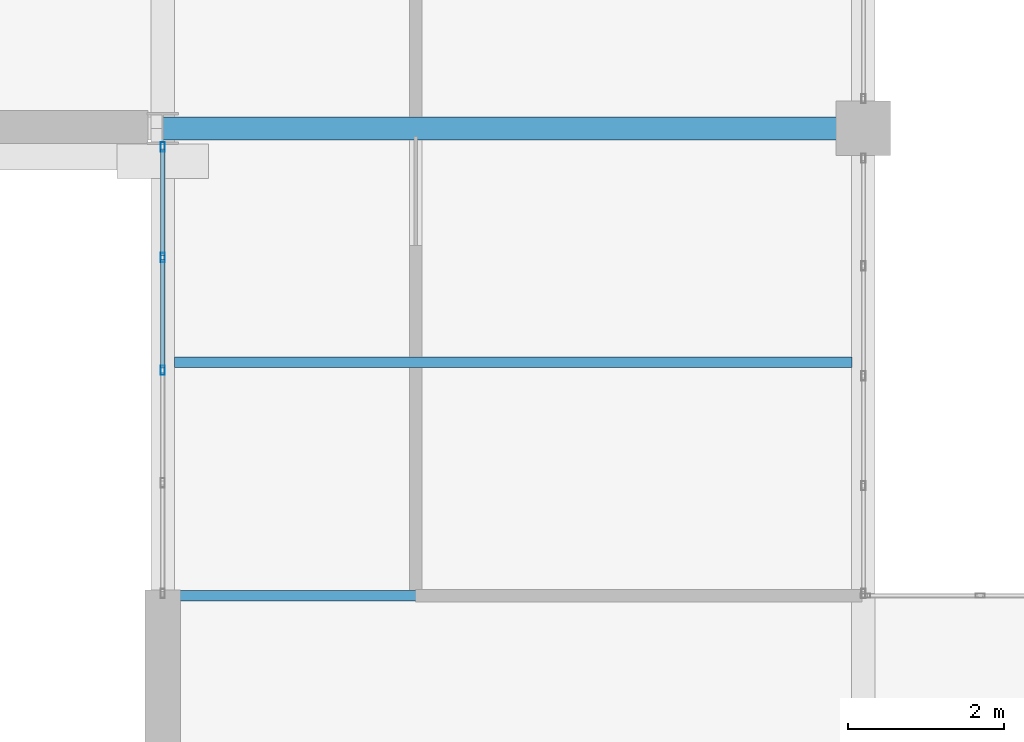
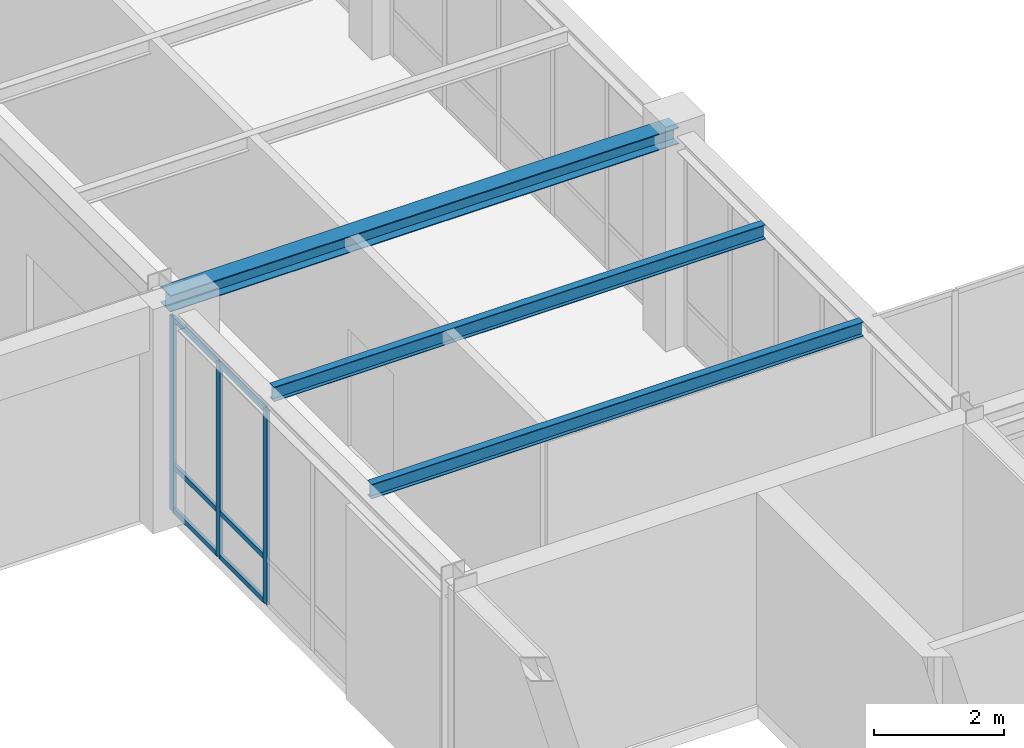
# One storey, part 17 of 130: 9 members, 3 beams, 1 element without a shape of its own.
"""IFC4 building model written with IfcOpenShell, lengths in metres."""

import ifcopenshell
import ifcopenshell.guid

model = None  # the IFC model being written
_history = None  # IfcOwnerHistory: only IFC2X3 demands one
_inside = {}  # id of a spatial element -> (the spatial element, [elements in it])
_under = {}  # id of a project, library or spatial element -> (it, [spatial elements below it])
_declared = {}  # id of a project -> (the project, [libraries it declares])
_typed = {}  # id of a type object -> (the type object, [elements of that type])
_made_of = {}  # id of a material, layer set ... -> (it, [elements and type objects made of it])


def new_model(schema):
    """Start an empty IFC model of exactly this schema.

    Asked for "IFC4X3", IfcOpenShell would pick the latest addendum, in which some entities
    have other attributes; the version numbers below select the first issue.
    IFC2X3 requires an IfcOwnerHistory on every rooted entity: one is made here for all.
    """
    global model, _history
    if schema == "IFC4X3":
        model = ifcopenshell.file(schema_version=(4, 3, 0, 0))
    else:
        model = ifcopenshell.file(schema=schema)
    _inside.clear()
    _under.clear()
    _declared.clear()
    _typed.clear()
    _made_of.clear()
    _history = None
    if model.schema == "IFC2X3":
        org = make("IfcOrganization", Name="unknown")
        user = make(
            "IfcPersonAndOrganization",
            ThePerson=make("IfcPerson", FamilyName="unknown"),
            TheOrganization=org,
        )
        app = make(
            "IfcApplication",
            ApplicationDeveloper=org,
            Version="unknown",
            ApplicationFullName="unknown",
            ApplicationIdentifier="unknown",
        )
        _history = make(
            "IfcOwnerHistory",
            OwningUser=user,
            OwningApplication=app,
            ChangeAction="ADDED",
            CreationDate=0,
        )
    return model


def make(cls, **values):
    """One entity of the class cls with the attributes given. An attribute that is None is left unset."""
    return model.create_entity(
        cls, **{name: value for name, value in values.items() if value is not None}
    )


def rooted(cls, **values):
    """An entity with a GlobalId (a new one), such as an element, a storey or a relation."""
    return make(cls, GlobalId=ifcopenshell.guid.new(), OwnerHistory=_history, **values)


def si_unit(unit_type, name, prefix=None):
    """IfcSIUnit, for example si_unit("LENGTHUNIT", "METRE", prefix="MILLI")."""
    return make("IfcSIUnit", UnitType=unit_type, Prefix=prefix, Name=name)


def assignment(units):
    """IfcUnitAssignment: the units of a project."""
    return None if units is None else make("IfcUnitAssignment", Units=units)


def point(xyz):
    """IfcCartesianPoint."""
    return None if xyz is None else make("IfcCartesianPoint", Coordinates=xyz)


def direction(xyz):
    """IfcDirection."""
    return None if xyz is None else make("IfcDirection", DirectionRatios=xyz)


def frame(location, z_axis=None, x_axis=None):
    """IfcAxis2Placement3D, a coordinate frame: its origin and axes. An axis left out is left unset."""
    return make(
        "IfcAxis2Placement3D",
        Location=point(location),
        Axis=direction(z_axis),
        RefDirection=direction(x_axis),
    )


def frame_2d(location, x_axis=None):
    """IfcAxis2Placement2D, a coordinate frame in the plane: its origin and x axis."""
    return make(
        "IfcAxis2Placement2D", Location=point(location), RefDirection=direction(x_axis)
    )


def origin():
    """The frame at (0, 0, 0) with its axes left unset."""
    return frame((0.0, 0.0, 0.0))


def origin_2d():
    """The frame at (0, 0) in the plane with its x axis left unset."""
    return frame_2d((0.0, 0.0))


def place(relative_to, where):
    """IfcLocalPlacement: puts the frame where relative to a parent placement (None: the world)."""
    return make(
        "IfcLocalPlacement", PlacementRelTo=relative_to, RelativePlacement=where
    )


def context(
    kind, dimensions, precision=None, world=None, true_north=None, identifier=None
):
    """IfcGeometricRepresentationContext, for example the 3D "Model" context."""
    return make(
        "IfcGeometricRepresentationContext",
        ContextIdentifier=identifier,
        ContextType=kind,
        CoordinateSpaceDimension=dimensions,
        Precision=precision,
        WorldCoordinateSystem=world,
        TrueNorth=true_north,
    )


def subcontext(parent, identifier, kind, view, scale=None):
    """IfcGeometricRepresentationSubContext, for example "Body" below "Model"."""
    return make(
        "IfcGeometricRepresentationSubContext",
        ContextIdentifier=identifier,
        ContextType=kind,
        ParentContext=parent,
        TargetScale=scale,
        TargetView=view,
    )


def project(units=None, contexts=None):
    """IfcProject with its units and contexts."""
    return rooted(
        "IfcProject",
        Name="project",
        RepresentationContexts=contexts,
        UnitsInContext=assignment(units),
    )


def spatial(cls, under=None, at=None, **own):
    """A site, building, storey or space (cls), placed at a placement, below another one or the project."""
    s = rooted(cls, ObjectPlacement=at, **own)
    if under is not None:
        _under.setdefault(under.id(), (under, []))[1].append(s)
    return s


def profile(cls, at=None, kind="AREA", **sizes):
    """A parametric profile (cls). Its sizes go by their IFC names, for example OverallWidth=200.0."""
    return make(cls, ProfileType=kind, Position=at, **sizes)


def hollow_rectangle(**sizes):
    """IfcRectangleHollowProfileDef."""
    return profile("IfcRectangleHollowProfileDef", **sizes)


def i_section(**sizes):
    """IfcIShapeProfileDef."""
    return profile("IfcIShapeProfileDef", **sizes)


def extrude(swept, where, along, depth):
    """IfcExtrudedAreaSolid: the profile swept, set in the frame where, extruded along a direction by depth."""
    return make(
        "IfcExtrudedAreaSolid",
        SweptArea=swept,
        Position=where,
        ExtrudedDirection=direction(along),
        Depth=depth,
    )


def shape(context_of_items, identifier, shape_type, items):
    """IfcShapeRepresentation: the items that make up one representation, for example the "Body"."""
    return make(
        "IfcShapeRepresentation",
        ContextOfItems=context_of_items,
        RepresentationIdentifier=identifier,
        RepresentationType=shape_type,
        Items=items,
    )


def material(Name=None, Category=None):
    """IfcMaterial."""
    return make("IfcMaterial", Name=Name, Category=Category)


def material_profile(
    of_material, cross_section, Name=None, Category=None, Priority=None
):
    """IfcMaterialProfile: a cross section and its material."""
    return make(
        "IfcMaterialProfile",
        Name=Name,
        Material=of_material,
        Profile=cross_section,
        Priority=Priority,
        Category=Category,
    )


def profile_set(profiles, Name=None, composite=None):
    """IfcMaterialProfileSet."""
    return make(
        "IfcMaterialProfileSet",
        Name=Name,
        MaterialProfiles=profiles,
        CompositeProfile=composite,
    )


def made_of(thing, what):
    """Note that an element or type object is made of a material, layer set ...; save() writes the relation."""
    if what is not None:
        _made_of.setdefault(what.id(), (what, []))[1].append(thing)
    return thing


def type_object(cls, material=None, **own):
    """A type object (cls), such as IfcWallType, which elements share."""
    return made_of(rooted(cls, **own), material)


def element(
    cls,
    number,
    at=None,
    inside=None,
    cuts=None,
    type_object=None,
    material=None,
    context=None,
    identifier="Body",
    shape_type=None,
    held_by="IfcProductDefinitionShape",
    body=None,
    shapes=None,
    **own,
):
    """One element of the class cls, such as IfcWall. Its Tag is "e" and its number.

    at: its placement. inside: the storey or other place that contains it. cuts: it is an
    opening in that element (IfcRelVoidsElement). A single representation is given by context,
    identifier, shape_type and body (its items); several are given by shapes. held_by: the class
    of the entity that holds the representations. save() writes the other relations.
    """
    e = rooted(cls, Tag="e%d" % number, ObjectPlacement=at, **own)
    if body is not None:
        shapes = [shape(context, identifier, shape_type, body)]
    if shapes is not None:
        e.Representation = make(held_by, Representations=shapes)
    if inside is not None:
        _inside.setdefault(inside.id(), (inside, []))[1].append(e)
    if cuts is not None:
        rooted(
            "IfcRelVoidsElement", RelatingBuildingElement=cuts, RelatedOpeningElement=e
        )
    if type_object is not None:
        _typed.setdefault(type_object.id(), (type_object, []))[1].append(e)
    return made_of(e, material)


def aggregate(whole, parts):
    """IfcRelAggregates: a whole, such as a stair, and the parts it consists of."""
    return rooted("IfcRelAggregates", RelatingObject=whole, RelatedObjects=parts)


def save(model, path):
    """Write the relations noted so far, then the file.

    IfcRelAggregates (storeys below a building ...), IfcRelContainedInSpatialStructure (elements
    in a storey), IfcRelDefinesByType, IfcRelAssociatesMaterial and IfcRelDeclares: one each for
    every whole, place, type object, material and project.
    """
    for whole, parts in _under.values():
        aggregate(whole, parts)
    for where, things in _inside.values():
        rooted(
            "IfcRelContainedInSpatialStructure",
            RelatedElements=things,
            RelatingStructure=where,
        )
    for kind, things in _typed.values():
        rooted("IfcRelDefinesByType", RelatedObjects=things, RelatingType=kind)
    for what, things in _made_of.values():
        rooted("IfcRelAssociatesMaterial", RelatedObjects=things, RelatingMaterial=what)
    for by, libraries in _declared.values():
        rooted("IfcRelDeclares", RelatingContext=by, RelatedDefinitions=libraries)
    model.write(path)


model = new_model("IFC4")

# Units and contexts
model_context = context("Model", 3, precision=1e-05, world=origin(), true_north=direction((0.0, 1.0)))
body_context = subcontext(model_context, "Body", "Model", "MODEL_VIEW")
ifc_project = project(units=[si_unit("LENGTHUNIT", "METRE"), si_unit("AREAUNIT", "SQUARE_METRE"), si_unit("VOLUMEUNIT", "CUBIC_METRE"), si_unit("PLANEANGLEUNIT", "RADIAN"), si_unit("MASSUNIT", "GRAM", prefix="KILO")], contexts=[model_context])

# Site, building, storey
site_placement = place(None, origin())
site = spatial("IfcSite", under=ifc_project, at=site_placement, CompositionType="ELEMENT")
building_placement = place(site_placement, origin())
building = spatial("IfcBuilding", under=site, at=building_placement, Name="Lykobir Media Centre", CompositionType="ELEMENT")
storey_placement = place(building_placement, frame((0.0, 0.0, 19.199951171875)))
storey = spatial("IfcBuildingStorey", under=building, at=storey_placement, Name="L04", CompositionType="ELEMENT", Elevation=19.199951171875)

# Curtain wall, members
ifc_material_1 = material(Name="Anodized Aluminium AW-6060", Category="aluminium")
curtain_wall_type = type_object("IfcCurtainWallType", Name="CW-COURT-B", PredefinedType="NOTDEFINED", material=ifc_material_1)
curtain_wall_placement = place(storey_placement, origin())
curtain_wall = element("IfcCurtainWall", 1, at=curtain_wall_placement, inside=storey, type_object=curtain_wall_type, Name="Curtain wall CW2-L04-0149", PredefinedType="NOTDEFINED")
ifc_material_profile_1 = material_profile(ifc_material_1, hollow_rectangle(XDim=0.054931640625, YDim=0.1201171875, WallThickness=0.003173828125, at=origin_2d()), Name="ALU MULLION 55x120")
ifc_profile_set_1 = profile_set([ifc_material_profile_1], Name="Anodized Aluminium AW-6060")
member_type_1 = type_object("IfcMemberType", Name="CWM-120", PredefinedType="MULLION", material=ifc_profile_set_1)
member_1_placement = place(storey_placement, frame((27.0, 23.895751953125, 0.0), z_axis=(0.0, 0.0, 1.0), x_axis=(-1.0, 0.0, 0.0)))
member_1 = element("IfcMember", 2, at=member_1_placement, type_object=member_type_1, Name="CW2-L04-0149 mullion 3", PredefinedType="MULLION", context=body_context, shape_type="SweptSolid", body=[
    extrude(hollow_rectangle(XDim=0.054931640625, YDim=0.1201171875, WallThickness=0.003173828125, at=origin_2d()), origin(), (0.0, 0.0, 1.0), 3.635009765625),
])
member_2_placement = place(storey_placement, frame((27.0, 25.343505859375, 0.0), z_axis=(0.0, 0.0, 1.0), x_axis=(-1.0, 0.0, 0.0)))
member_2 = element("IfcMember", 3, at=member_2_placement, type_object=member_type_1, Name="CW2-L04-0149 mullion 4", PredefinedType="MULLION", context=body_context, shape_type="SweptSolid", body=[
    extrude(hollow_rectangle(XDim=0.054931640625, YDim=0.1201171875, WallThickness=0.003173828125, at=origin_2d()), origin(), (0.0, 0.0, 1.0), 3.635009765625),
])
member_3_placement = place(storey_placement, frame((27.0, 26.763916015625, 0.0), z_axis=(0.0, 0.0, 1.0), x_axis=(-1.0, 0.0, 0.0)))
member_3 = element("IfcMember", 4, at=member_3_placement, type_object=member_type_1, Name="CW2-L04-0149 mullion 5", PredefinedType="MULLION", context=body_context, shape_type="SweptSolid", body=[
    extrude(hollow_rectangle(XDim=0.054931640625, YDim=0.1201171875, WallThickness=0.003173828125, at=origin_2d()), origin(), (0.0, 0.0, 1.0), 3.635009765625),
])
ifc_material_profile_2 = material_profile(ifc_material_1, hollow_rectangle(XDim=0.054931640625, YDim=0.094970703125, WallThickness=0.0029296875, at=origin_2d()), Name="ALU TRANSOM 55x95")
ifc_profile_set_2 = profile_set([ifc_material_profile_2], Name="Anodized Aluminium AW-6060")
member_type_2 = type_object("IfcMemberType", Name="CWT-095", PredefinedType="USERDEFINED", material=ifc_profile_set_2)
member_4_placement = place(storey_placement, frame((27.0, 23.923095703125, 0.027587890625), z_axis=(0.0, 1.0, 0.0), x_axis=(-1.0, 0.0, 0.0)))
member_4 = element("IfcMember", 5, at=member_4_placement, type_object=member_type_2, Name="CW2-L04-0149 transom 3.1", ObjectType="TRANSOM", PredefinedType="USERDEFINED", context=body_context, shape_type="SweptSolid", body=[
    extrude(hollow_rectangle(XDim=0.054931640625, YDim=0.094970703125, WallThickness=0.0029296875, at=origin_2d()), origin(), (0.0, 0.0, 1.0), 1.39306640625),
])
member_5_placement = place(storey_placement, frame((27.0, 23.923095703125, 0.85009765625), z_axis=(0.0, 1.0, 0.0), x_axis=(-1.0, 0.0, 0.0)))
member_5 = element("IfcMember", 6, at=member_5_placement, type_object=member_type_2, Name="CW2-L04-0149 transom 3.2", ObjectType="TRANSOM", PredefinedType="USERDEFINED", context=body_context, shape_type="SweptSolid", body=[
    extrude(hollow_rectangle(XDim=0.054931640625, YDim=0.094970703125, WallThickness=0.0029296875, at=origin_2d()), origin(), (0.0, 0.0, 1.0), 1.39306640625),
])
member_6_placement = place(storey_placement, frame((27.0, 23.923095703125, 3.607666015625), z_axis=(0.0, 1.0, 0.0), x_axis=(-1.0, 0.0, 0.0)))
member_6 = element("IfcMember", 7, at=member_6_placement, type_object=member_type_2, Name="CW2-L04-0149 transom 3.3", ObjectType="TRANSOM", PredefinedType="USERDEFINED", context=body_context, shape_type="SweptSolid", body=[
    extrude(hollow_rectangle(XDim=0.054931640625, YDim=0.094970703125, WallThickness=0.0029296875, at=origin_2d()), origin(), (0.0, 0.0, 1.0), 1.39306640625),
])
member_7_placement = place(storey_placement, frame((27.0, 25.37109375, 0.027587890625), z_axis=(0.0, 1.0, 0.0), x_axis=(-1.0, 0.0, 0.0)))
member_7 = element("IfcMember", 8, at=member_7_placement, type_object=member_type_2, Name="CW2-L04-0149 transom 4.1", ObjectType="TRANSOM", PredefinedType="USERDEFINED", context=body_context, shape_type="SweptSolid", body=[
    extrude(hollow_rectangle(XDim=0.054931640625, YDim=0.094970703125, WallThickness=0.0029296875, at=origin_2d()), origin(), (0.0, 0.0, 1.0), 1.365478515625),
])
member_8_placement = place(storey_placement, frame((27.0, 25.37109375, 0.85009765625), z_axis=(0.0, 1.0, 0.0), x_axis=(-1.0, 0.0, 0.0)))
member_8 = element("IfcMember", 9, at=member_8_placement, type_object=member_type_2, Name="CW2-L04-0149 transom 4.2", ObjectType="TRANSOM", PredefinedType="USERDEFINED", context=body_context, shape_type="SweptSolid", body=[
    extrude(hollow_rectangle(XDim=0.054931640625, YDim=0.094970703125, WallThickness=0.0029296875, at=origin_2d()), origin(), (0.0, 0.0, 1.0), 1.365478515625),
])
member_9_placement = place(storey_placement, frame((27.0, 25.37109375, 3.607666015625), z_axis=(0.0, 1.0, 0.0), x_axis=(-1.0, 0.0, 0.0)))
member_9 = element("IfcMember", 10, at=member_9_placement, type_object=member_type_2, Name="CW2-L04-0149 transom 4.3", ObjectType="TRANSOM", PredefinedType="USERDEFINED", context=body_context, shape_type="SweptSolid", body=[
    extrude(hollow_rectangle(XDim=0.054931640625, YDim=0.094970703125, WallThickness=0.0029296875, at=origin_2d()), origin(), (0.0, 0.0, 1.0), 1.365478515625),
])
aggregate(curtain_wall, [member_1, member_2, member_3, member_4, member_5, member_6, member_7, member_8, member_9])

# Beams
ifc_material_2 = material(Name="Steel S355", Category="steel")
ifc_material_profile_3 = material_profile(ifc_material_2, i_section(OverallWidth=0.135009765625, OverallDepth=0.27001953125, WebThickness=0.006591796875, FlangeThickness=0.01025390625, at=origin_2d()), Name="IPE 270")
ifc_profile_set_3 = profile_set([ifc_material_profile_3], Name="Steel S355")
beam_type_1 = type_object("IfcBeamType", Name="JS-IPE270", PredefinedType="JOIST", material=ifc_profile_set_3)
for number, where, z_axis, x_axis, name in (
    (11, (27.14990234375, 21.0, 3.824951171875), (1.0, 0.0, 0.0), (0.0, 1.0, 0.0), "Beam BM-L04-0272-0210-0358-0210-2302"),
    (12, (27.14990234375, 24.0, 3.824951171875), (1.0, 0.0, 0.0), (0.0, 1.0, 0.0), "Beam BM-L04-0272-0240-0358-0240-2302"),
):
    element("IfcBeam", number, at=place(storey_placement, frame(where, z_axis=z_axis, x_axis=x_axis)), inside=storey, type_object=beam_type_1, Name=name, PredefinedType="JOIST", context=body_context, shape_type="SweptSolid", body=[
        extrude(i_section(OverallWidth=0.135009765625, OverallDepth=0.27001953125, WebThickness=0.006591796875, FlangeThickness=0.01025390625, at=origin_2d()), origin(), (0.0, 0.0, 1.0), 8.7001953125),
    ])
ifc_material_profile_4 = material_profile(ifc_material_2, i_section(OverallWidth=0.300048828125, OverallDepth=0.31005859375, WebThickness=0.009033203125, FlangeThickness=0.015380859375, at=origin_2d()), Name="HEA 320")
ifc_profile_set_4 = profile_set([ifc_material_profile_4], Name="Steel S355")
beam_type_2 = type_object("IfcBeamType", Name="SP-HEA320", PredefinedType="SPANDREL", material=ifc_profile_set_4)
beam_placement = place(storey_placement, frame((27.0, 27.0, 3.804931640625), z_axis=(1.0, 0.0, 0.0), x_axis=(0.0, 1.0, 0.0)))
element("IfcBeam", 13, at=beam_placement, inside=storey, type_object=beam_type_2, Name="Beam BM-L04-0270-0270-0360-0270-2300", PredefinedType="SPANDREL", context=body_context, shape_type="SweptSolid", body=[
    extrude(i_section(OverallWidth=0.300048828125, OverallDepth=0.31005859375, WebThickness=0.009033203125, FlangeThickness=0.015380859375, at=origin_2d()), origin(), (0.0, 0.0, 1.0), 9.0),
])

save(model, "model.ifc")
